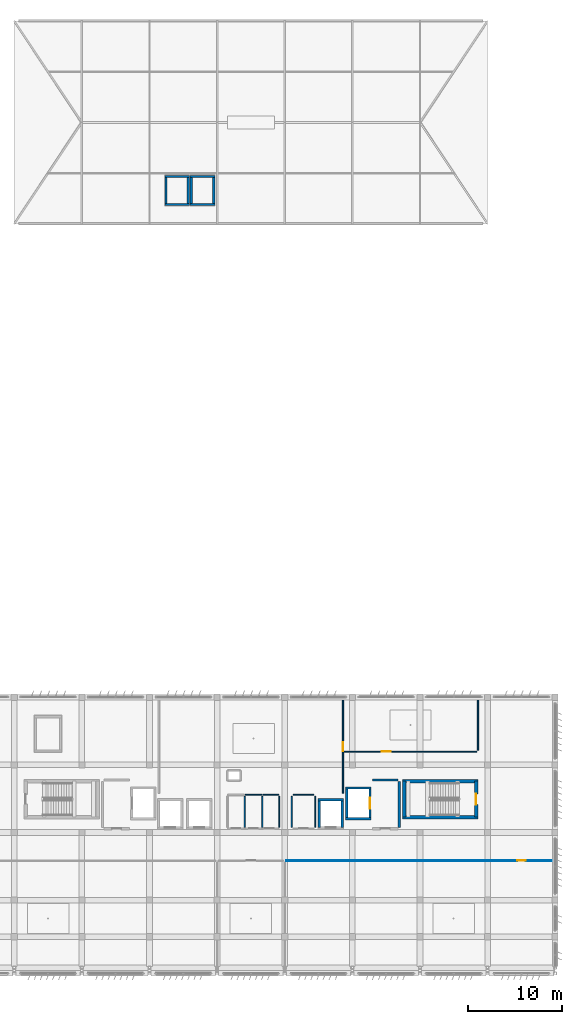
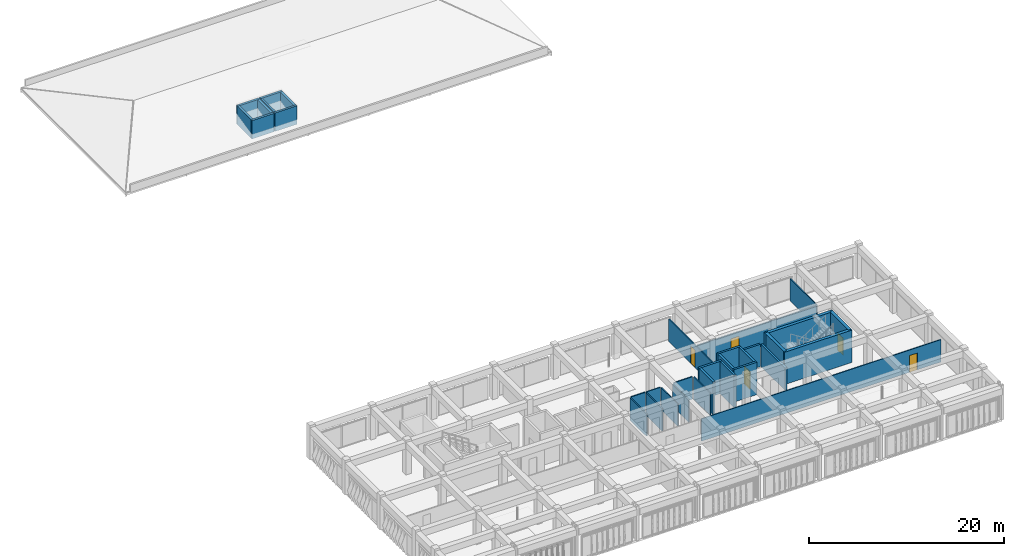
# One storey, part 35 of 53: 33 walls, 5 doors, 5 openings.
"""IFC4 building model written with IfcOpenShell, lengths in metres."""

from ifc_helpers import new_model, si_unit, direction, frame, frame_2d, origin, place, context, subcontext, project, spatial, rectangle, extrude, material, layer, layer_set, type_object, element, fill, save


model = new_model("IFC4")

# Units and contexts
model_context = context("Model", 3, precision=1e-05, world=origin(), true_north=direction((0.0, 1.0)))
body_context = subcontext(model_context, "Body", "Model", "MODEL_VIEW")
ifc_project = project(units=[si_unit("LENGTHUNIT", "METRE"), si_unit("AREAUNIT", "SQUARE_METRE"), si_unit("VOLUMEUNIT", "CUBIC_METRE"), si_unit("PLANEANGLEUNIT", "RADIAN"), si_unit("MASSUNIT", "GRAM", prefix="KILO")], contexts=[model_context])

# Site, building, storey
site_placement = place(None, origin())
site = spatial("IfcSite", under=ifc_project, at=site_placement, CompositionType="ELEMENT")
building_placement = place(site_placement, origin())
building = spatial("IfcBuilding", under=site, at=building_placement, Name="Kazehaya Institute of Natural Sciences", CompositionType="ELEMENT")
storey_placement = place(building_placement, frame((0.0, 0.0, 33.300048828125)))
storey = spatial("IfcBuildingStorey", under=building, at=storey_placement, Name="L07", CompositionType="ELEMENT", Elevation=33.300048828125)

# Walls
ifc_material_1 = material(Name="Concrete Fc42", Category="concrete")
ifc_layer_1 = layer(ifc_material_1, 0.35009765625, Name="Concrete Fc42", Category="concrete")
ifc_layer_set_1 = layer_set([ifc_layer_1], Name="Concrete Fc42")
wall_type_1 = type_object("IfcWallType", Name="WL-CORE-350", PredefinedType="SHEAR", material=ifc_layer_set_1)
for number, where, z_axis, x_axis, name in (
    (1, (111.155029296875, 22.820068359375, 0.0), (0.0, 0.0, 1.0), (-1.0, 0.0, 0.0), "L07 ST-2 core wall S"),
    (2, (103.14501953125, 26.659912109375, 0.0), (0.0, 0.0, 1.0), (1.0, 0.0, 0.0), "L07 ST-2 core wall N"),
):
    element("IfcWall", number, at=place(storey_placement, frame(where, z_axis=z_axis, x_axis=x_axis)), inside=storey, type_object=wall_type_1, Name=name, PredefinedType="SHEAR", context=body_context, shape_type="SweptSolid", body=[
        extrude(rectangle(XDim=8.010009765625, YDim=0.35009765625, at=frame_2d((4.0048828125, 0.0))), origin(), (0.0, 0.0, 1.0), 4.050048828125),
    ])
wall_1_placement = place(storey_placement, frame((103.320068359375, 22.820068359375, 0.0), z_axis=(0.0, 0.0, 1.0), x_axis=(0.0, 1.0, 0.0)))
element("IfcWall", 3, at=wall_1_placement, inside=storey, type_object=wall_type_1, Name="L07 ST-2 core wall W", PredefinedType="SHEAR", context=body_context, shape_type="SweptSolid", body=[
    extrude(rectangle(XDim=3.83984375, YDim=0.35009765625, at=frame_2d((1.919921875, 0.0))), origin(), (0.0, 0.0, 1.0), 4.050048828125),
])

# Wall, opening, door
wall_2_placement = place(storey_placement, frame((110.97998046875, 26.659912109375, 0.0), z_axis=(0.0, 0.0, 1.0), x_axis=(0.0, -1.0, 0.0)))
wall_2 = element("IfcWall", 4, at=wall_2_placement, inside=storey, type_object=wall_type_1, Name="L07 ST-2 core wall E", PredefinedType="SHEAR", context=body_context, shape_type="SweptSolid", body=[
    extrude(rectangle(XDim=3.83984375, YDim=0.35009765625, at=frame_2d((1.919921875, 0.0))), origin(), (0.0, 0.0, 1.0), 4.050048828125),
])
opening_1_placement = place(wall_2_placement, frame((1.35009765625, 0.0, 0.0)))
opening_1 = element("IfcOpeningElement", 5, at=opening_1_placement, cuts=wall_2, Name="Opening D-ST-020", PredefinedType="OPENING", context=body_context, shape_type="SweptSolid", body=[
    extrude(rectangle(XDim=1.139892578125, YDim=2.179931640625, at=frame_2d((0.56982421875, 1.08984375))), frame((0.0, 0.18505859375, 0.0), z_axis=(0.0, -1.0, 0.0), x_axis=(1.0, 0.0, 0.0)), (0.0, 0.0, 1.0), 0.3701171875),
])
ifc_material_2 = material(Name="Fire-rated steel acoustic door", Category="steel")
door_type_1 = type_object("IfcDoorType", Name="DT-FD-21", OperationType="NOTDEFINED", PredefinedType="DOOR", material=ifc_material_2)
door_1_placement = place(opening_1_placement, origin())
door_1 = element("IfcDoor", 6, at=door_1_placement, inside=storey, type_object=door_type_1, Name="L07 ST-2 stair enclosure door D-ST-020", OperationType="SINGLE_SWING_RIGHT", OverallHeight=2.179931640625, OverallWidth=1.139892578125, PredefinedType="DOOR", context=body_context, shape_type="SweptSolid", body=[
    extrude(rectangle(XDim=1.139892578125, YDim=2.179931640625, at=frame_2d((0.56982421875, 1.08984375))), frame((0.0, 0.02490234375, 0.0), z_axis=(0.0, -1.0, 0.0), x_axis=(1.0, 0.0, 0.0)), (0.0, 0.0, 1.0), 0.050048828125),
])
fill(opening_1, door_1)

# Walls
ifc_material_3 = material(Name="Concrete Fc36", Category="concrete")
ifc_layer_2 = layer(ifc_material_3, 0.22998046875, Name="Concrete Fc36", Category="concrete")
ifc_layer_set_2 = layer_set([ifc_layer_2], Name="Concrete Fc36")
wall_type_2 = type_object("IfcWallType", Name="WL-FFL-230", PredefinedType="PARTITIONING", material=ifc_layer_set_2)
wall_3_placement = place(storey_placement, frame((99.949951171875, 26.800048828125, 0.0), z_axis=(0.0, 0.0, 1.0), x_axis=(1.0, 0.0, 0.0)))
element("IfcWall", 7, at=wall_3_placement, inside=storey, type_object=wall_type_2, Name="L07 East Firefighting Lift Lobby partition IW-L07-0329", PredefinedType="PARTITIONING", context=body_context, shape_type="SweptSolid", body=[
    extrude(rectangle(XDim=2.699951171875, YDim=0.22998046875, at=frame_2d((1.35009765625, 0.0))), origin(), (0.0, 0.0, 1.0), 2.800048828125),
])
wall_4_placement = place(storey_placement, frame((102.800048828125, 26.64990234375, 0.0), z_axis=(0.0, 0.0, 1.0), x_axis=(0.0, -1.0, 0.0)))
element("IfcWall", 8, at=wall_4_placement, inside=storey, type_object=wall_type_2, Name="L07 East Firefighting Lift Lobby partition IW-L07-0330", PredefinedType="PARTITIONING", context=body_context, shape_type="SweptSolid", body=[
    extrude(rectangle(XDim=4.89990234375, YDim=0.22998046875, at=frame_2d((2.449951171875, 0.0))), origin(), (0.0, 0.0, 1.0), 2.800048828125),
])

# Wall, opening, door
ifc_material_4 = material(Name="Lightweight chase partition")
ifc_layer_3 = layer(ifc_material_4, 0.10009765625, Name="Lightweight chase partition")
ifc_layer_set_3 = layer_set([ifc_layer_3], Name="Lightweight chase partition")
wall_type_3 = type_object("IfcWallType", Name="WL-PART-100", PredefinedType="PARTITIONING", material=ifc_layer_set_3)
wall_5_placement = place(storey_placement, frame((90.75, 18.199951171875, 0.0), z_axis=(0.0, 0.0, 1.0), x_axis=(1.0, 0.0, 0.0)))
wall_5 = element("IfcWall", 9, at=wall_5_placement, inside=storey, type_object=wall_type_3, Name="L07 Senior Fellow Write-up Office partition IW-L07-0349", PredefinedType="PARTITIONING", context=body_context, shape_type="SweptSolid", body=[
    extrude(rectangle(XDim=28.300048828125, YDim=0.10009765625, at=frame_2d((14.14990234375, 0.0))), origin(), (0.0, 0.0, 1.0), 2.800048828125),
])
opening_2_placement = place(wall_5_placement, frame((24.5849609375, 0.0, 0.0)))
opening_2 = element("IfcOpeningElement", 10, at=opening_2_placement, cuts=wall_5, Name="Opening D-L07-0192", PredefinedType="OPENING", context=body_context, shape_type="SweptSolid", body=[
    extrude(rectangle(XDim=0.929931640625, YDim=2.10009765625, at=frame_2d((0.46484375, 1.050048828125))), frame((0.0, 0.06005859375, 0.0), z_axis=(0.0, -1.0, 0.0), x_axis=(1.0, 0.0, 0.0)), (0.0, 0.0, 1.0), 0.1201171875),
])
ifc_material_5 = material(Name="Flush timber and aluminium laboratory door", Category="wood")
door_type_2 = type_object("IfcDoorType", Name="DT-INT-06", OperationType="NOTDEFINED", PredefinedType="DOOR", material=ifc_material_5)
door_2_placement = place(opening_2_placement, origin())
door_2 = element("IfcDoor", 11, at=door_2_placement, inside=storey, type_object=door_type_2, Name="L07 Senior Fellow Write-up Office door D-L07-0192", OperationType="SINGLE_SWING_LEFT", OverallHeight=2.10009765625, OverallWidth=0.929931640625, PredefinedType="DOOR", context=body_context, shape_type="SweptSolid", body=[
    extrude(rectangle(XDim=0.929931640625, YDim=2.10009765625, at=frame_2d((0.46484375, 1.050048828125))), frame((0.0, 0.02490234375, 0.0), z_axis=(0.0, -1.0, 0.0), x_axis=(1.0, 0.0, 0.0)), (0.0, 0.0, 1.0), 0.050048828125),
])
fill(opening_2, door_2)

# Walls
ifc_material_6 = material(Name="Glazed office demountable partition")
ifc_layer_4 = layer(ifc_material_6, 0.110107421875, Name="Glazed office demountable partition")
ifc_layer_set_4 = layer_set([ifc_layer_4], Name="Glazed office demountable partition")
wall_type_4 = type_object("IfcWallType", Name="WL-PART-110", PredefinedType="PARTITIONING", material=ifc_layer_set_4)
wall_6_placement = place(storey_placement, frame((91.5, 25.199951171875, 0.0), z_axis=(0.0, 0.0, 1.0), x_axis=(1.0, 0.0, 0.0)))
element("IfcWall", 12, at=wall_6_placement, inside=storey, type_object=wall_type_4, Name="L07 Ostomate WC partition IW-L07-0342", PredefinedType="PARTITIONING", context=body_context, shape_type="SweptSolid", body=[
    extrude(rectangle(XDim=2.199951171875, YDim=0.110107421875, at=frame_2d((1.10009765625, 0.0))), origin(), (0.0, 0.0, 1.0), 2.800048828125),
])
for number, where, z_axis, x_axis, name in (
    (13, (91.35009765625, 21.75, 0.0), (0.0, 0.0, 1.0), (0.0, 1.0, 0.0), "L07 Ostomate WC partition IW-L07-0343"),
    (14, (93.85009765625, 25.050048828125, 0.0), (0.0, 0.0, 1.0), (0.0, -1.0, 0.0), "L07 Ostomate WC partition IW-L07-0344"),
):
    element("IfcWall", number, at=place(storey_placement, frame(where, z_axis=z_axis, x_axis=x_axis)), inside=storey, type_object=wall_type_4, Name=name, PredefinedType="PARTITIONING", context=body_context, shape_type="SweptSolid", body=[
        extrude(rectangle(XDim=3.300048828125, YDim=0.110107421875, at=frame_2d((1.64990234375, 0.0))), origin(), (0.0, 0.0, 1.0), 2.800048828125),
    ])
ifc_material_7 = material(Name="Gypsum write-up office partition", Category="gypsum")
ifc_layer_5 = layer(ifc_material_7, 0.1201171875, Name="Gypsum write-up office partition", Category="gypsum")
ifc_layer_set_5 = layer_set([ifc_layer_5], Name="Gypsum write-up office partition")
wall_type_5 = type_object("IfcWallType", Name="WL-PART-120", PredefinedType="PARTITIONING", material=ifc_layer_set_5)
wall_7_placement = place(storey_placement, frame((88.260009765625, 25.199951171875, 0.0), z_axis=(0.0, 0.0, 1.0), x_axis=(1.0, 0.0, 0.0)))
element("IfcWall", 15, at=wall_7_placement, inside=storey, type_object=wall_type_5, Name="L07 Accessible WC partition IW-L07-0339", PredefinedType="PARTITIONING", context=body_context, shape_type="SweptSolid", body=[
    extrude(rectangle(XDim=1.679931640625, YDim=0.1201171875, at=frame_2d((0.83984375, 0.0))), origin(), (0.0, 0.0, 1.0), 2.800048828125),
])
wall_8_placement = place(storey_placement, frame((90.0, 25.050048828125, 0.0), z_axis=(0.0, 0.0, 1.0), x_axis=(0.0, -1.0, 0.0)))
element("IfcWall", 16, at=wall_8_placement, inside=storey, type_object=wall_type_5, Name="L07 Accessible WC partition IW-L07-0340", PredefinedType="PARTITIONING", context=body_context, shape_type="SweptSolid", body=[
    extrude(rectangle(XDim=3.300048828125, YDim=0.1201171875, at=frame_2d((1.64990234375, 0.0))), origin(), (0.0, 0.0, 1.0), 2.800048828125),
])

# Wall, opening, door
wall_9_placement = place(storey_placement, frame((111.030029296875, 29.800048828125, 0.0), z_axis=(0.0, 0.0, 1.0), x_axis=(-1.0, 0.0, 0.0)))
wall_9 = element("IfcWall", 17, at=wall_9_placement, inside=storey, type_object=wall_type_5, Name="L07 Shared NMR and Optical Instrument Suite partition IW-L07-0352", PredefinedType="PARTITIONING", context=body_context, shape_type="SweptSolid", body=[
    extrude(rectangle(XDim=14.080078125, YDim=0.1201171875, at=frame_2d((7.0400390625, 0.0))), origin(), (0.0, 0.0, 1.0), 2.800048828125),
])
opening_3_placement = place(wall_9_placement, frame((9.1650390625, 0.0, 0.0)))
opening_3 = element("IfcOpeningElement", 18, at=opening_3_placement, cuts=wall_9, Name="Opening D-L07-0194", PredefinedType="OPENING", context=body_context, shape_type="SweptSolid", body=[
    extrude(rectangle(XDim=0.929931640625, YDim=2.219970703125, at=frame_2d((0.46484375, 1.10986328125))), frame((0.0, 0.070068359375, 0.0), z_axis=(0.0, -1.0, 0.0), x_axis=(1.0, 0.0, 0.0)), (0.0, 0.0, 1.0), 0.14013671875),
])
door_type_3 = type_object("IfcDoorType", Name="DT-INT-08", OperationType="NOTDEFINED", PredefinedType="DOOR", material=ifc_material_5)
door_3_placement = place(opening_3_placement, origin())
door_3 = element("IfcDoor", 19, at=door_3_placement, inside=storey, type_object=door_type_3, Name="L07 Shared NMR and Optical Instrument Suite door D-L07-0194", OperationType="SINGLE_SWING_LEFT", OverallHeight=2.219970703125, OverallWidth=0.929931640625, PredefinedType="DOOR", context=body_context, shape_type="SweptSolid", body=[
    extrude(rectangle(XDim=0.929931640625, YDim=2.219970703125, at=frame_2d((0.46484375, 1.10986328125))), frame((0.0, 0.02490234375, 0.0), z_axis=(0.0, -1.0, 0.0), x_axis=(1.0, 0.0, 0.0)), (0.0, 0.0, 1.0), 0.050048828125),
])
fill(opening_3, door_3)

# Walls
wall_10_placement = place(storey_placement, frame((111.179931640625, 35.300048828125, 0.0), z_axis=(0.0, 0.0, 1.0), x_axis=(0.0, -1.0, 0.0)))
element("IfcWall", 20, at=wall_10_placement, inside=storey, type_object=wall_type_5, Name="L07 Shared NMR and Optical Instrument Suite partition IW-L07-0353", PredefinedType="PARTITIONING", context=body_context, shape_type="SweptSolid", body=[
    extrude(rectangle(XDim=5.35009765625, YDim=0.1201171875, at=frame_2d((2.675048828125, 0.0))), origin(), (0.0, 0.0, 1.0), 2.800048828125),
])
ifc_material_8 = material(Name="Moisture-resistant WC partition")
ifc_layer_6 = layer(ifc_material_8, 0.1298828125, Name="Moisture-resistant WC partition")
ifc_layer_set_6 = layer_set([ifc_layer_6], Name="Moisture-resistant WC partition")
wall_type_6 = type_object("IfcWallType", Name="WL-PART-130", PredefinedType="PARTITIONING", material=ifc_layer_set_6)
wall_11_placement = place(storey_placement, frame((86.409912109375, 25.199951171875, 0.0), z_axis=(0.0, 0.0, 1.0), x_axis=(1.0, 0.0, 0.0)))
element("IfcWall", 21, at=wall_11_placement, inside=storey, type_object=wall_type_6, Name="L07 Female WC partition IW-L07-0336", PredefinedType="PARTITIONING", context=body_context, shape_type="SweptSolid", body=[
    extrude(rectangle(XDim=1.72998046875, YDim=0.1298828125, at=frame_2d((0.864990234375, 0.0))), origin(), (0.0, 0.0, 1.0), 2.800048828125),
])
wall_12_placement = place(storey_placement, frame((88.199951171875, 25.050048828125, 0.0), z_axis=(0.0, 0.0, 1.0), x_axis=(0.0, -1.0, 0.0)))
element("IfcWall", 22, at=wall_12_placement, inside=storey, type_object=wall_type_6, Name="L07 Female WC partition IW-L07-0337", PredefinedType="PARTITIONING", context=body_context, shape_type="SweptSolid", body=[
    extrude(rectangle(XDim=3.300048828125, YDim=0.1298828125, at=frame_2d((1.64990234375, 0.0))), origin(), (0.0, 0.0, 1.0), 2.800048828125),
])
ifc_material_9 = material(Name="Gypsum partition", Category="gypsum")
ifc_layer_7 = layer(ifc_material_9, 0.139892578125, Name="Gypsum partition", Category="gypsum")
ifc_layer_set_7 = layer_set([ifc_layer_7], Name="Gypsum partition")
wall_type_7 = type_object("IfcWallType", Name="WL-PART-140", PredefinedType="PARTITIONING", material=ifc_layer_set_7)
wall_13_placement = place(storey_placement, frame((86.35009765625, 25.050048828125, 0.0), z_axis=(0.0, 0.0, 1.0), x_axis=(0.0, -1.0, 0.0)))
element("IfcWall", 23, at=wall_13_placement, inside=storey, type_object=wall_type_7, Name="L07 Male WC partition IW-L07-0334", PredefinedType="PARTITIONING", context=body_context, shape_type="SweptSolid", body=[
    extrude(rectangle(XDim=3.300048828125, YDim=0.139892578125, at=frame_2d((1.64990234375, 0.0))), origin(), (0.0, 0.0, 1.0), 2.800048828125),
])

# Wall, opening, door
wall_14_placement = place(storey_placement, frame((96.800048828125, 35.300048828125, 0.0), z_axis=(0.0, 0.0, 1.0), x_axis=(0.0, -1.0, 0.0)))
wall_14 = element("IfcWall", 24, at=wall_14_placement, inside=storey, type_object=wall_type_7, Name="L07 Photochemistry Laboratory partition IW-L07-0351", PredefinedType="PARTITIONING", context=body_context, shape_type="SweptSolid", body=[
    extrude(rectangle(XDim=9.949951171875, YDim=0.139892578125, at=frame_2d((4.97509765625, 0.0))), origin(), (0.0, 0.0, 1.0), 2.800048828125),
])
opening_4_placement = place(wall_14_placement, frame((4.510009765625, 0.0, 0.0)))
opening_4 = element("IfcOpeningElement", 25, at=opening_4_placement, cuts=wall_14, Name="Opening D-L07-0193", PredefinedType="OPENING", context=body_context, shape_type="SweptSolid", body=[
    extrude(rectangle(XDim=0.929931640625, YDim=2.159912109375, at=frame_2d((0.46484375, 1.080078125))), frame((0.0, 0.079833984375, 0.0), z_axis=(0.0, -1.0, 0.0), x_axis=(1.0, 0.0, 0.0)), (0.0, 0.0, 1.0), 0.159912109375),
])
door_type_4 = type_object("IfcDoorType", Name="DT-INT-07", OperationType="NOTDEFINED", PredefinedType="DOOR", material=ifc_material_5)
door_4_placement = place(opening_4_placement, origin())
door_4 = element("IfcDoor", 26, at=door_4_placement, inside=storey, type_object=door_type_4, Name="L07 Photochemistry Laboratory door D-L07-0193", OperationType="SINGLE_SWING_RIGHT", OverallHeight=2.159912109375, OverallWidth=0.929931640625, PredefinedType="DOOR", context=body_context, shape_type="SweptSolid", body=[
    extrude(rectangle(XDim=0.929931640625, YDim=2.159912109375, at=frame_2d((0.46484375, 1.080078125))), frame((0.0, 0.02490234375, 0.0), z_axis=(0.0, -1.0, 0.0), x_axis=(1.0, 0.0, 0.0)), (0.0, 0.0, 1.0), 0.050048828125),
])
fill(opening_4, door_4)

# Walls
ifc_layer_8 = layer(ifc_material_1, 0.25, Name="Concrete Fc42", Category="concrete")
ifc_layer_set_8 = layer_set([ifc_layer_8], Name="Concrete Fc42")
wall_type_8 = type_object("IfcWallType", Name="WL-SHAFT-250", PredefinedType="SHEAR", material=ifc_layer_set_8)
for number, where, z_axis, x_axis, name in (
    (27, (99.81005859375, 22.6650390625, 0.0), (0.0, 0.0, 1.0), (-1.0, 0.0, 0.0), "L07 EL08 lift shaft wall south"),
    (28, (97.090087890625, 25.93505859375, 0.0), (0.0, 0.0, 1.0), (1.0, 0.0, 0.0), "L07 EL08 lift shaft wall north"),
):
    element("IfcWall", number, at=place(storey_placement, frame(where, z_axis=z_axis, x_axis=x_axis)), inside=storey, type_object=wall_type_8, Name=name, PredefinedType="SHEAR", context=body_context, shape_type="SweptSolid", body=[
        extrude(rectangle(XDim=2.719970703125, YDim=0.25, at=frame_2d((1.35986328125, 0.0))), origin(), (0.0, 0.0, 1.0), 4.050048828125),
    ])
wall_15_placement = place(storey_placement, frame((97.215087890625, 22.6650390625, 0.0), z_axis=(0.0, 0.0, 1.0), x_axis=(0.0, 1.0, 0.0)))
element("IfcWall", 29, at=wall_15_placement, inside=storey, type_object=wall_type_8, Name="L07 EL08 lift shaft wall west", PredefinedType="SHEAR", context=body_context, shape_type="SweptSolid", body=[
    extrude(rectangle(XDim=3.27001953125, YDim=0.25, at=frame_2d((1.635009765625, 0.0))), origin(), (0.0, 0.0, 1.0), 4.050048828125),
])

# Wall, opening, door
wall_16_placement = place(storey_placement, frame((99.68505859375, 25.93505859375, 0.0), z_axis=(0.0, 0.0, 1.0), x_axis=(0.0, -1.0, 0.0)))
wall_16 = element("IfcWall", 30, at=wall_16_placement, inside=storey, type_object=wall_type_8, Name="L07 EL08 lift shaft wall east", PredefinedType="SHEAR", context=body_context, shape_type="SweptSolid", body=[
    extrude(rectangle(XDim=3.27001953125, YDim=0.25, at=frame_2d((1.635009765625, 0.0))), origin(), (0.0, 0.0, 1.0), 4.050048828125),
])
opening_5_placement = place(wall_16_placement, frame((1.034912109375, 0.0, 0.0)))
opening_5 = element("IfcOpeningElement", 31, at=opening_5_placement, cuts=wall_16, Name="Opening LD-20", PredefinedType="OPENING", context=body_context, shape_type="SweptSolid", body=[
    extrude(rectangle(XDim=1.199951171875, YDim=2.25, at=frame_2d((0.60009765625, 1.125))), frame((0.0, 0.135009765625, 0.0), z_axis=(0.0, -1.0, 0.0), x_axis=(1.0, 0.0, 0.0)), (0.0, 0.0, 1.0), 0.27001953125),
])
ifc_material_10 = material(Name="Stainless-steel emergency lift landing door", Category="steel")
door_type_5 = type_object("IfcDoorType", Name="DT-LD-1200x2250", OperationType="SLIDING_TO_LEFT", PredefinedType="DOOR", material=ifc_material_10)
door_5_placement = place(opening_5_placement, origin())
door_5 = element("IfcDoor", 32, at=door_5_placement, inside=storey, type_object=door_type_5, Name="L07 EL08 sliding landing door LD-20", OperationType="SLIDING_TO_LEFT", OverallHeight=2.25, OverallWidth=1.199951171875, PredefinedType="DOOR", context=body_context, shape_type="SweptSolid", body=[
    extrude(rectangle(XDim=1.199951171875, YDim=2.25, at=frame_2d((0.60009765625, 1.125))), frame((0.0, 0.02490234375, 0.0), z_axis=(0.0, -1.0, 0.0), x_axis=(1.0, 0.0, 0.0)), (0.0, 0.0, 1.0), 0.050048828125),
])
fill(opening_5, door_5)

# Walls
wall_17_placement = place(storey_placement, frame((94.139892578125, 24.68505859375, 0.0), z_axis=(0.0, 0.0, 1.0), x_axis=(1.0, 0.0, 0.0)))
element("IfcWall", 33, at=wall_17_placement, inside=storey, type_object=wall_type_8, Name="L07 EL03 lift shaft wall north", PredefinedType="SHEAR", context=body_context, shape_type="SweptSolid", body=[
    extrude(rectangle(XDim=2.72021484375, YDim=0.25, at=frame_2d((1.360107421875, 0.0))), origin(), (0.0, 0.0, 1.0), 4.050048828125),
])
for number, where, z_axis, x_axis, name in (
    (34, (94.264892578125, 21.715087890625, 0.0), (0.0, 0.0, 1.0), (0.0, 1.0, 0.0), "L07 EL03 lift shaft wall west"),
    (35, (96.735107421875, 24.68505859375, 0.0), (0.0, 0.0, 1.0), (0.0, -1.0, 0.0), "L07 EL03 lift shaft wall east"),
):
    element("IfcWall", number, at=place(storey_placement, frame(where, z_axis=z_axis, x_axis=x_axis)), inside=storey, type_object=wall_type_8, Name=name, PredefinedType="SHEAR", context=body_context, shape_type="SweptSolid", body=[
        extrude(rectangle(XDim=2.969970703125, YDim=0.25, at=frame_2d((1.48486328125, 0.0))), origin(), (0.0, 0.0, 1.0), 4.050048828125),
    ])
for number, where, z_axis, x_axis, name in (
    (36, (80.4599609375, 88.06494140625, 0.0), (0.0, 0.0, 1.0), (-1.0, 0.0, 0.0), "L07 EL04 lift overrun enclosure south"),
    (37, (77.840087890625, 91.034912109375, 0.0), (0.0, 0.0, 1.0), (1.0, 0.0, 0.0), "L07 EL04 lift overrun enclosure north"),
):
    element("IfcWall", number, at=place(storey_placement, frame(where, z_axis=z_axis, x_axis=x_axis)), inside=storey, type_object=wall_type_8, Name=name, PredefinedType="SHEAR", context=body_context, shape_type="SweptSolid", body=[
        extrude(rectangle(XDim=2.619873046875, YDim=0.25, at=frame_2d((1.31005859375, 0.0))), origin(), (0.0, 0.0, 1.0), 2.300048828125),
    ])
for number, where, z_axis, x_axis, name in (
    (38, (77.965087890625, 88.06494140625, 0.0), (0.0, 0.0, 1.0), (0.0, 1.0, 0.0), "L07 EL04 lift overrun enclosure west"),
    (39, (80.3349609375, 91.034912109375, 0.0), (0.0, 0.0, 1.0), (0.0, -1.0, 0.0), "L07 EL04 lift overrun enclosure east"),
):
    element("IfcWall", number, at=place(storey_placement, frame(where, z_axis=z_axis, x_axis=x_axis)), inside=storey, type_object=wall_type_8, Name=name, PredefinedType="SHEAR", context=body_context, shape_type="SweptSolid", body=[
        extrude(rectangle(XDim=2.969970703125, YDim=0.25, at=frame_2d((1.48486328125, 0.0))), origin(), (0.0, 0.0, 1.0), 2.300048828125),
    ])
for number, where, z_axis, x_axis, name in (
    (40, (83.159912109375, 88.06494140625, 0.0), (0.0, 0.0, 1.0), (-1.0, 0.0, 0.0), "L07 EL05 lift overrun enclosure south"),
    (41, (80.5400390625, 91.034912109375, 0.0), (0.0, 0.0, 1.0), (1.0, 0.0, 0.0), "L07 EL05 lift overrun enclosure north"),
):
    element("IfcWall", number, at=place(storey_placement, frame(where, z_axis=z_axis, x_axis=x_axis)), inside=storey, type_object=wall_type_8, Name=name, PredefinedType="SHEAR", context=body_context, shape_type="SweptSolid", body=[
        extrude(rectangle(XDim=2.619873046875, YDim=0.25, at=frame_2d((1.31005859375, 0.0))), origin(), (0.0, 0.0, 1.0), 2.300048828125),
    ])
for number, where, z_axis, x_axis, name in (
    (42, (80.6650390625, 88.06494140625, 0.0), (0.0, 0.0, 1.0), (0.0, 1.0, 0.0), "L07 EL05 lift overrun enclosure west"),
    (43, (83.034912109375, 91.034912109375, 0.0), (0.0, 0.0, 1.0), (0.0, -1.0, 0.0), "L07 EL05 lift overrun enclosure east"),
):
    element("IfcWall", number, at=place(storey_placement, frame(where, z_axis=z_axis, x_axis=x_axis)), inside=storey, type_object=wall_type_8, Name=name, PredefinedType="SHEAR", context=body_context, shape_type="SweptSolid", body=[
        extrude(rectangle(XDim=2.969970703125, YDim=0.25, at=frame_2d((1.48486328125, 0.0))), origin(), (0.0, 0.0, 1.0), 2.300048828125),
    ])

save(model, "model.ifc")
